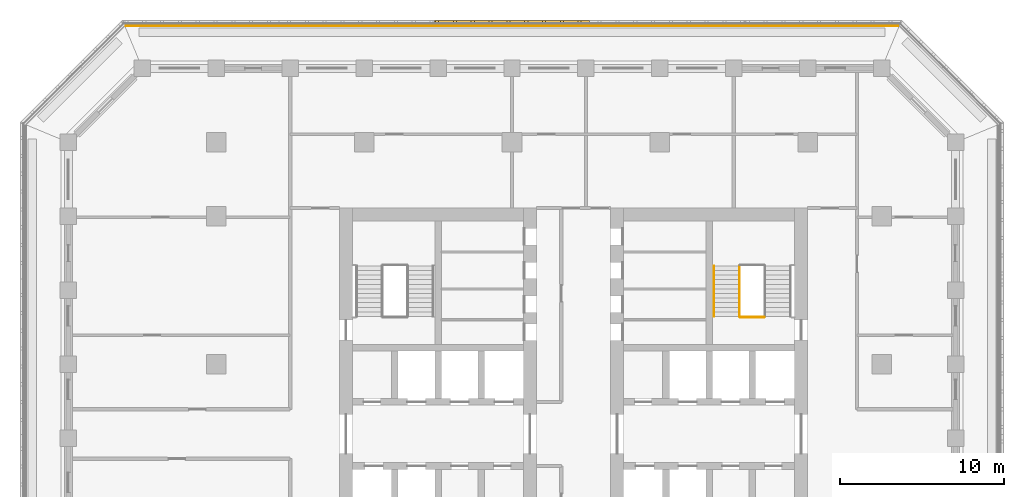
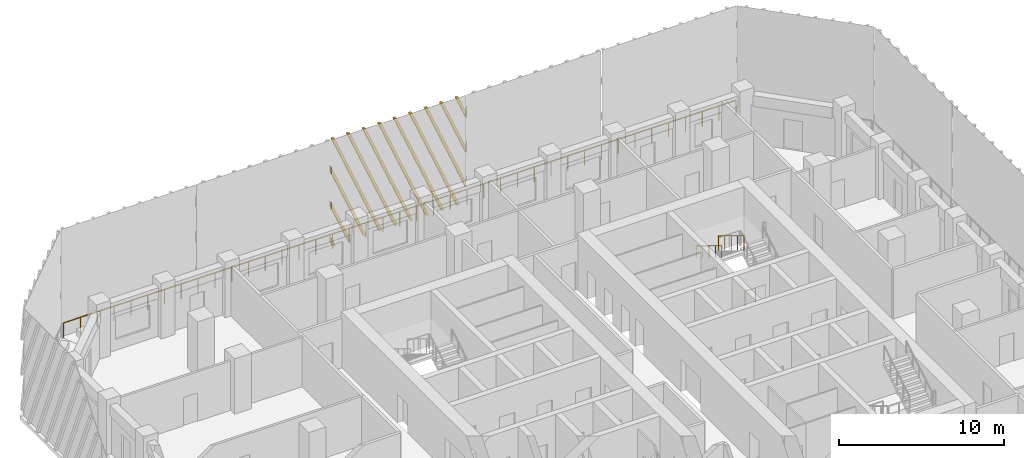
# One storey, part 15 of 17: 4 railings, 1 shading device.
"""IFC4 building model written with IfcOpenShell, lengths in metres."""

from ifc_helpers import new_model, si_unit, direction, frame, origin, origin_2d, place, context, subcontext, project, spatial, polyline, circle, outline, extrude, source, transform, mapped, material, type_object, element, save


model = new_model("IFC4")

# Units and contexts
model_context = context("Model", 3, precision=1e-05, world=origin(), true_north=direction((0.0, 1.0)))
body_context = subcontext(model_context, "Body", "Model", "MODEL_VIEW")
ifc_project = project(units=[si_unit("LENGTHUNIT", "METRE"), si_unit("AREAUNIT", "SQUARE_METRE"), si_unit("VOLUMEUNIT", "CUBIC_METRE"), si_unit("PLANEANGLEUNIT", "RADIAN"), si_unit("MASSUNIT", "GRAM", prefix="KILO")], contexts=[model_context])

# Site, building, storey
site_placement = place(None, origin())
site = spatial("IfcSite", under=ifc_project, at=site_placement, CompositionType="ELEMENT")
building_placement = place(site_placement, origin())
building = spatial("IfcBuilding", under=site, at=building_placement, Name="Corbel Stack Research Tower", CompositionType="ELEMENT")
storey_placement = place(building_placement, frame((0.0, 0.0, 156.800048828125)))
storey = spatial("IfcBuildingStorey", under=building, at=storey_placement, Name="L35", CompositionType="ELEMENT", Elevation=156.800048828125)

# Railings
ifc_material_1 = material(Name="Steel S355", Category="steel")
railing_type_1 = type_object("IfcRailingType", Name="Stair guard 1100", PredefinedType="GUARDRAIL", material=ifc_material_1)
railing_1_placement = place(storey_placement, frame((13.85009765625, 14.97998046875, 2.220703125)))
element("IfcRailing", 1, at=railing_1_placement, inside=storey, type_object=railing_type_1, Name="L35 ST-E2 stair guard 4", PredefinedType="GUARDRAIL", context=body_context, shape_type="SweptSolid", body=[
    extrude(circle(Radius=0.02392578125, at=origin_2d()), frame((0.0, 0.0, 1.076171875), z_axis=(0.0, -0.853666305674, 0.52082035152), x_axis=(1.0, 0.0, 0.0)), (0.0, 0.0, 1.0), 3.608154296875),
    extrude(circle(Radius=0.02099609375, at=origin_2d()), origin(), (0.0, 0.0, 1.0), 1.052001953125),
    extrude(circle(Radius=0.02099609375, at=origin_2d()), frame((0.0, -0.77001953125, 0.4697265625)), (0.0, 0.0, 1.0), 1.052001953125),
    extrude(circle(Radius=0.02099609375, at=origin_2d()), frame((0.0, -1.5400390625, 0.939453125)), (0.0, 0.0, 1.0), 1.052001953125),
    extrude(circle(Radius=0.02099609375, at=origin_2d()), frame((0.0, -2.31005859375, 1.409423828125)), (0.0, 0.0, 1.0), 1.052001953125),
    extrude(circle(Radius=0.02099609375, at=origin_2d()), frame((0.0, -3.080078125, 1.879150390625)), (0.0, 0.0, 1.0), 1.052001953125),
])
railing_2_placement = place(storey_placement, frame((15.35009765625, 11.85009765625, 0.0)))
element("IfcRailing", 2, at=railing_2_placement, inside=storey, type_object=railing_type_1, Name="L35 ST-E2 stair guard 5", PredefinedType="GUARDRAIL", context=body_context, shape_type="SweptSolid", body=[
    extrude(circle(Radius=0.02392578125, at=origin_2d()), frame((0.0, 0.0, 1.076171875), z_axis=(-1.0, 0.0, 0.0), x_axis=(0.0, -1.0, 0.0)), (0.0, 0.0, 1.0), 1.4501953125),
    extrude(circle(Radius=0.02099609375, at=origin_2d()), origin(), (0.0, 0.0, 1.0), 1.052001953125),
    extrude(circle(Radius=0.02099609375, at=origin_2d()), frame((-0.72509765625, 0.0, 0.0)), (0.0, 0.0, 1.0), 1.052001953125),
    extrude(circle(Radius=0.02099609375, at=origin_2d()), frame((-1.4501953125, 0.0, 0.0)), (0.0, 0.0, 1.0), 1.052001953125),
])
ifc_material_2 = material(Name="Steel S355", Category="steel")
railing_type_2 = type_object("IfcRailingType", Name="Stair handrail 900", PredefinedType="HANDRAIL", material=ifc_material_2)
railing_3_placement = place(storey_placement, frame((12.300048828125, 14.97998046875, 2.220703125)))
element("IfcRailing", 3, at=railing_3_placement, inside=storey, type_object=railing_type_2, Name="L35 ST-E2 stair handrail 2", PredefinedType="HANDRAIL", context=body_context, shape_type="SweptSolid", body=[
    extrude(circle(Radius=0.02392578125, at=origin_2d()), frame((0.0, 0.0, 0.8759765625), z_axis=(0.0, -0.853666305674, 0.52082035152), x_axis=(1.0, 0.0, 0.0)), (0.0, 0.0, 1.0), 3.608154296875),
    extrude(circle(Radius=0.02099609375, at=origin_2d()), origin(), (0.0, 0.0, 1.0), 0.851806640625),
    extrude(circle(Radius=0.02099609375, at=origin_2d()), frame((0.0, -0.77001953125, 0.4697265625)), (0.0, 0.0, 1.0), 0.851806640625),
    extrude(circle(Radius=0.02099609375, at=origin_2d()), frame((0.0, -1.5400390625, 0.939453125)), (0.0, 0.0, 1.0), 0.851806640625),
    extrude(circle(Radius=0.02099609375, at=origin_2d()), frame((0.0, -2.31005859375, 1.409423828125)), (0.0, 0.0, 1.0), 0.851806640625),
    extrude(circle(Radius=0.02099609375, at=origin_2d()), frame((0.0, -3.080078125, 1.879150390625)), (0.0, 0.0, 1.0), 0.851806640625),
])
ifc_material_3 = material(Name="Powder-coated steel guard", Category="steel")
railing_type_3 = type_object("IfcRailingType", Name="Steel and glass guard 1100", PredefinedType="GUARDRAIL", material=ifc_material_3)
railing_4_placement = place(storey_placement, frame((23.50537109375, 29.60009765625, 0.0)))
element("IfcRailing", 4, at=railing_4_placement, inside=storey, type_object=railing_type_3, Name="Loggia guard L35 N", PredefinedType="GUARDRAIL", context=body_context, shape_type="SweptSolid", body=[
    extrude(circle(Radius=0.02392578125, at=origin_2d()), frame((0.0, 0.0, 1.076171875), z_axis=(-1.0, 0.0, 0.0), x_axis=(0.0, -1.0, 0.0)), (0.0, 0.0, 1.0), 47.0107421875),
    extrude(circle(Radius=0.02099609375, at=origin_2d()), origin(), (0.0, 0.0, 1.0), 1.052001953125),
    extrude(circle(Radius=0.02099609375, at=origin_2d()), frame((-1.17529296875, 0.0, 0.0)), (0.0, 0.0, 1.0), 1.052001953125),
    extrude(circle(Radius=0.02099609375, at=origin_2d()), frame((-2.3505859375, 0.0, 0.0)), (0.0, 0.0, 1.0), 1.052001953125),
    extrude(circle(Radius=0.02099609375, at=origin_2d()), frame((-3.52587890625, 0.0, 0.0)), (0.0, 0.0, 1.0), 1.052001953125),
    extrude(circle(Radius=0.02099609375, at=origin_2d()), frame((-4.701171875, 0.0, 0.0)), (0.0, 0.0, 1.0), 1.052001953125),
    extrude(circle(Radius=0.02099609375, at=origin_2d()), frame((-5.87646484375, 0.0, 0.0)), (0.0, 0.0, 1.0), 1.052001953125),
    extrude(circle(Radius=0.02099609375, at=origin_2d()), frame((-7.051513671875, 0.0, 0.0)), (0.0, 0.0, 1.0), 1.052001953125),
    extrude(circle(Radius=0.02099609375, at=origin_2d()), frame((-8.226806640625, 0.0, 0.0)), (0.0, 0.0, 1.0), 1.052001953125),
    extrude(circle(Radius=0.02099609375, at=origin_2d()), frame((-9.402099609375, 0.0, 0.0)), (0.0, 0.0, 1.0), 1.052001953125),
    extrude(circle(Radius=0.02099609375, at=origin_2d()), frame((-10.577392578125, 0.0, 0.0)), (0.0, 0.0, 1.0), 1.052001953125),
    extrude(circle(Radius=0.02099609375, at=origin_2d()), frame((-11.752685546875, 0.0, 0.0)), (0.0, 0.0, 1.0), 1.052001953125),
    extrude(circle(Radius=0.02099609375, at=origin_2d()), frame((-12.927978515625, 0.0, 0.0)), (0.0, 0.0, 1.0), 1.052001953125),
    extrude(circle(Radius=0.02099609375, at=origin_2d()), frame((-14.103271484375, 0.0, 0.0)), (0.0, 0.0, 1.0), 1.052001953125),
    extrude(circle(Radius=0.02099609375, at=origin_2d()), frame((-15.278564453125, 0.0, 0.0)), (0.0, 0.0, 1.0), 1.052001953125),
    extrude(circle(Radius=0.02099609375, at=origin_2d()), frame((-16.453857421875, 0.0, 0.0)), (0.0, 0.0, 1.0), 1.052001953125),
    extrude(circle(Radius=0.02099609375, at=origin_2d()), frame((-17.62890625, 0.0, 0.0)), (0.0, 0.0, 1.0), 1.052001953125),
    extrude(circle(Radius=0.02099609375, at=origin_2d()), frame((-18.80419921875, 0.0, 0.0)), (0.0, 0.0, 1.0), 1.052001953125),
    extrude(circle(Radius=0.02099609375, at=origin_2d()), frame((-19.9794921875, 0.0, 0.0)), (0.0, 0.0, 1.0), 1.052001953125),
    extrude(circle(Radius=0.02099609375, at=origin_2d()), frame((-21.15478515625, 0.0, 0.0)), (0.0, 0.0, 1.0), 1.052001953125),
    extrude(circle(Radius=0.02099609375, at=origin_2d()), frame((-22.330078125, 0.0, 0.0)), (0.0, 0.0, 1.0), 1.052001953125),
    extrude(circle(Radius=0.02099609375, at=origin_2d()), frame((-23.50537109375, 0.0, 0.0)), (0.0, 0.0, 1.0), 1.052001953125),
    extrude(circle(Radius=0.02099609375, at=origin_2d()), frame((-24.6806640625, 0.0, 0.0)), (0.0, 0.0, 1.0), 1.052001953125),
    extrude(circle(Radius=0.02099609375, at=origin_2d()), frame((-25.85595703125, 0.0, 0.0)), (0.0, 0.0, 1.0), 1.052001953125),
    extrude(circle(Radius=0.02099609375, at=origin_2d()), frame((-27.03125, 0.0, 0.0)), (0.0, 0.0, 1.0), 1.052001953125),
    extrude(circle(Radius=0.02099609375, at=origin_2d()), frame((-28.20654296875, 0.0, 0.0)), (0.0, 0.0, 1.0), 1.052001953125),
    extrude(circle(Radius=0.02099609375, at=origin_2d()), frame((-29.3818359375, 0.0, 0.0)), (0.0, 0.0, 1.0), 1.052001953125),
    extrude(circle(Radius=0.02099609375, at=origin_2d()), frame((-30.556884765625, 0.0, 0.0)), (0.0, 0.0, 1.0), 1.052001953125),
    extrude(circle(Radius=0.02099609375, at=origin_2d()), frame((-31.732177734375, 0.0, 0.0)), (0.0, 0.0, 1.0), 1.052001953125),
    extrude(circle(Radius=0.02099609375, at=origin_2d()), frame((-32.907470703125, 0.0, 0.0)), (0.0, 0.0, 1.0), 1.052001953125),
    extrude(circle(Radius=0.02099609375, at=origin_2d()), frame((-34.082763671875, 0.0, 0.0)), (0.0, 0.0, 1.0), 1.052001953125),
    extrude(circle(Radius=0.02099609375, at=origin_2d()), frame((-35.258056640625, 0.0, 0.0)), (0.0, 0.0, 1.0), 1.052001953125),
    extrude(circle(Radius=0.02099609375, at=origin_2d()), frame((-36.433349609375, 0.0, 0.0)), (0.0, 0.0, 1.0), 1.052001953125),
    extrude(circle(Radius=0.02099609375, at=origin_2d()), frame((-37.608642578125, 0.0, 0.0)), (0.0, 0.0, 1.0), 1.052001953125),
    extrude(circle(Radius=0.02099609375, at=origin_2d()), frame((-38.783935546875, 0.0, 0.0)), (0.0, 0.0, 1.0), 1.052001953125),
    extrude(circle(Radius=0.02099609375, at=origin_2d()), frame((-39.959228515625, 0.0, 0.0)), (0.0, 0.0, 1.0), 1.052001953125),
    extrude(circle(Radius=0.02099609375, at=origin_2d()), frame((-41.13427734375, 0.0, 0.0)), (0.0, 0.0, 1.0), 1.052001953125),
    extrude(circle(Radius=0.02099609375, at=origin_2d()), frame((-42.3095703125, 0.0, 0.0)), (0.0, 0.0, 1.0), 1.052001953125),
    extrude(circle(Radius=0.02099609375, at=origin_2d()), frame((-43.48486328125, 0.0, 0.0)), (0.0, 0.0, 1.0), 1.052001953125),
    extrude(circle(Radius=0.02099609375, at=origin_2d()), frame((-44.66015625, 0.0, 0.0)), (0.0, 0.0, 1.0), 1.052001953125),
    extrude(circle(Radius=0.02099609375, at=origin_2d()), frame((-45.83544921875, 0.0, 0.0)), (0.0, 0.0, 1.0), 1.052001953125),
    extrude(circle(Radius=0.02099609375, at=origin_2d()), frame((-47.0107421875, 0.0, 0.0)), (0.0, 0.0, 1.0), 1.052001953125),
])

# Shading device
ifc_material_4 = material(Name="Precast terracotta", Category="masonry")
shading_device_type = type_object("IfcShadingDeviceType", Name="Terracotta screen panel", PredefinedType="USERDEFINED", material=ifc_material_4)
shared_shape = source(origin(), body_context, "Body", "SweptSolid", [
    extrude(outline(polyline([(0.70361328125, 7.949951171875), (0.513427734375, 7.949951171875), (0.0, 6.720458984375), (0.0, 6.265380859375), (0.70361328125, 7.949951171875)])), frame((0.0, 0.0, 0.0), z_axis=(0.0, -1.0, 0.0), x_axis=(1.0, 0.0, 0.0)), (0.0, 0.0, 1.0), 0.179931640625),
    extrude(outline(polyline([(1.7880859375, 7.949951171875), (1.59814453125, 7.949951171875), (0.0, 4.123291015625), (0.0, 3.668212890625), (1.7880859375, 7.949951171875)])), frame((0.0, 0.0, 0.0), z_axis=(0.0, -1.0, 0.0), x_axis=(1.0, 0.0, 0.0)), (0.0, 0.0, 1.0), 0.179931640625),
    extrude(outline(polyline([(2.872802734375, 7.949951171875), (2.682861328125, 7.949951171875), (0.0, 1.526123046875), (0.0, 1.071044921875), (2.872802734375, 7.949951171875)])), frame((0.0, 0.0, 0.0), z_axis=(0.0, -1.0, 0.0), x_axis=(1.0, 0.0, 0.0)), (0.0, 0.0, 1.0), 0.179931640625),
    extrude(outline(polyline([(0.63720703125, 0.0), (3.95751953125, 7.949951171875), (3.767578125, 7.949951171875), (0.447265625, 0.0), (0.63720703125, 0.0)])), frame((0.0, 0.0, 0.0), z_axis=(0.0, -1.0, 0.0), x_axis=(1.0, 0.0, 0.0)), (0.0, 0.0, 1.0), 0.179931640625),
    extrude(outline(polyline([(1.721923828125, 0.0), (5.042236328125, 7.949951171875), (4.852294921875, 7.949951171875), (1.531982421875, 0.0), (1.721923828125, 0.0)])), frame((0.0, 0.0, 0.0), z_axis=(0.0, -1.0, 0.0), x_axis=(1.0, 0.0, 0.0)), (0.0, 0.0, 1.0), 0.179931640625),
    extrude(outline(polyline([(2.806640625, 0.0), (6.126708984375, 7.949951171875), (5.936767578125, 7.949951171875), (2.61669921875, 0.0), (2.806640625, 0.0)])), frame((0.0, 0.0, 0.0), z_axis=(0.0, -1.0, 0.0), x_axis=(1.0, 0.0, 0.0)), (0.0, 0.0, 1.0), 0.179931640625),
    extrude(outline(polyline([(3.891357421875, 0.0), (7.21142578125, 7.949951171875), (7.021484375, 7.949951171875), (3.701416015625, 0.0), (3.891357421875, 0.0)])), frame((0.0, 0.0, 0.0), z_axis=(0.0, -1.0, 0.0), x_axis=(1.0, 0.0, 0.0)), (0.0, 0.0, 1.0), 0.179931640625),
    extrude(outline(polyline([(4.97607421875, 0.0), (8.296142578125, 7.949951171875), (8.106201171875, 7.949951171875), (4.785888671875, 0.0), (4.97607421875, 0.0)])), frame((0.0, 0.0, 0.0), z_axis=(0.0, -1.0, 0.0), x_axis=(1.0, 0.0, 0.0)), (0.0, 0.0, 1.0), 0.179931640625),
    extrude(outline(polyline([(6.060791015625, 0.0), (9.380859375, 7.949951171875), (9.19091796875, 7.949951171875), (5.87060546875, 0.0), (6.060791015625, 0.0)])), frame((0.0, 0.0, 0.0), z_axis=(0.0, -1.0, 0.0), x_axis=(1.0, 0.0, 0.0)), (0.0, 0.0, 1.0), 0.179931640625),
    extrude(outline(polyline([(7.145263671875, 0.0), (9.45556640625, 5.531982421875), (9.45556640625, 5.98681640625), (6.955322265625, 0.0), (7.145263671875, 0.0)])), frame((0.0, 0.0, 0.0), z_axis=(0.0, -1.0, 0.0), x_axis=(1.0, 0.0, 0.0)), (0.0, 0.0, 1.0), 0.179931640625),
    extrude(outline(polyline([(8.22998046875, 0.0), (9.45556640625, 2.934814453125), (9.45556640625, 3.3896484375), (8.0400390625, 0.0), (8.22998046875, 0.0)])), frame((0.0, 0.0, 0.0), z_axis=(0.0, -1.0, 0.0), x_axis=(1.0, 0.0, 0.0)), (0.0, 0.0, 1.0), 0.179931640625),
    extrude(outline(polyline([(9.314697265625, 0.0), (9.45556640625, 0.337646484375), (9.45556640625, 0.79248046875), (9.124755859375, 0.0), (9.314697265625, 0.0)])), frame((0.0, 0.0, 0.0), z_axis=(0.0, -1.0, 0.0), x_axis=(1.0, 0.0, 0.0)), (0.0, 0.0, 1.0), 0.179931640625),
])
shading_device_placement = place(storey_placement, frame((4.727783203125, 29.75, 0.0), z_axis=(0.0, 0.0, 1.0), x_axis=(-1.0, 0.0, 0.0)))
element("IfcShadingDevice", 5, at=shading_device_placement, inside=storey, type_object=shading_device_type, Name="Terracotta screen L35 N3", ObjectType="SCREEN", PredefinedType="USERDEFINED", context=body_context, shape_type="MappedRepresentation", body=[
    mapped(shared_shape, transform((0.0, 0.0, 0.0))),
])

save(model, "model.ifc")
